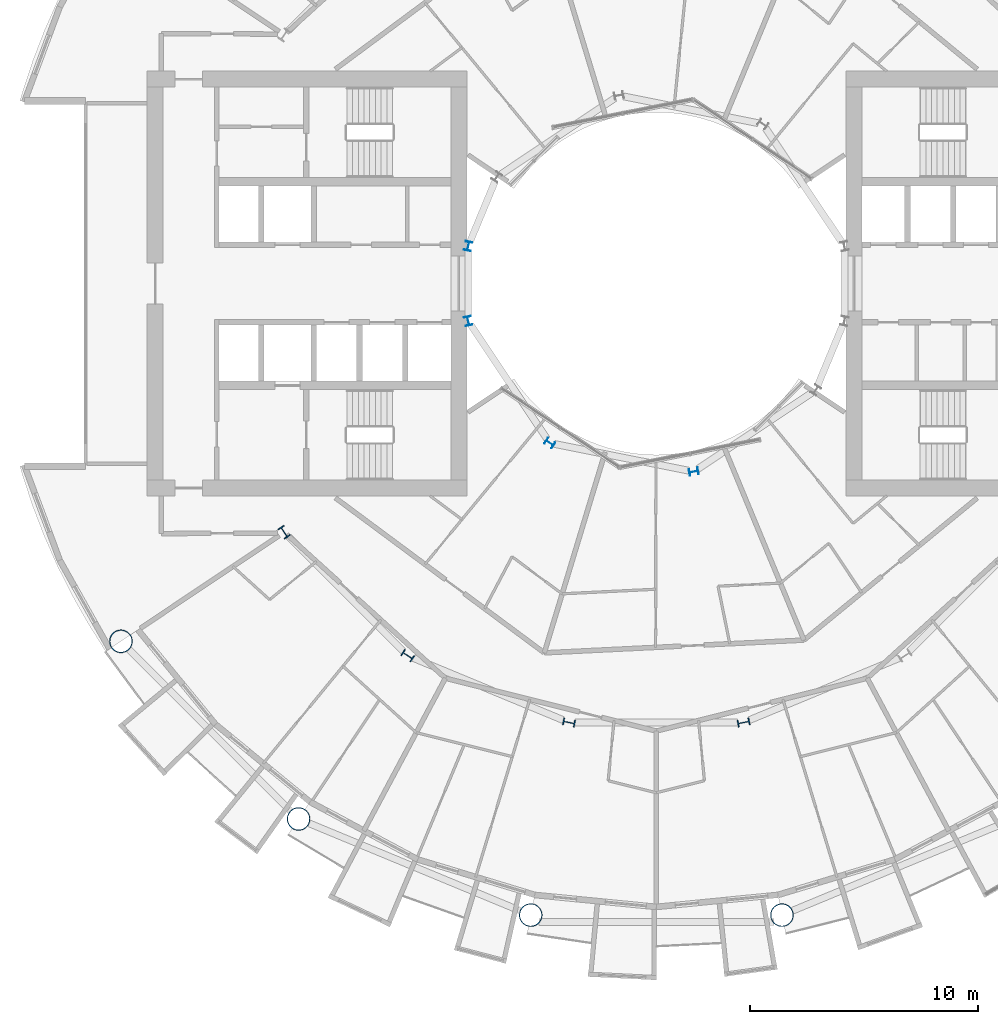
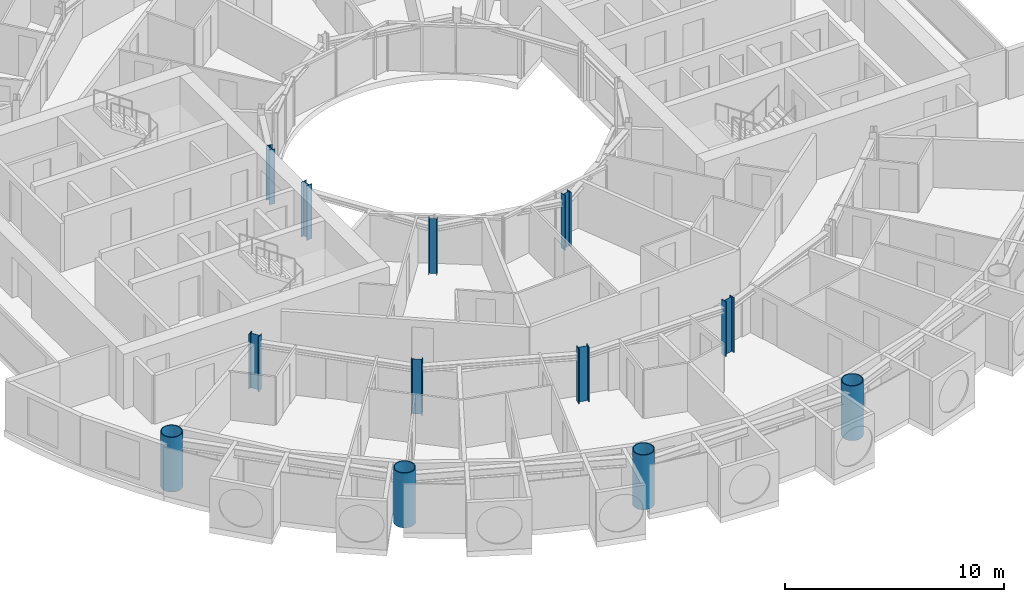
# One storey, part 1 of 26: 12 columns.
"""IFC4 building model written with IfcOpenShell, lengths in metres."""

from ifc_helpers import new_model, si_unit, direction, frame, origin, origin_2d, place, context, subcontext, project, spatial, hollow_circle, i_section, extrude, material, material_profile, profile_set, type_object, element, save


model = new_model("IFC4")

# Units and contexts
model_context = context("Model", 3, precision=1e-05, world=origin(), true_north=direction((0.0, 1.0)))
body_context = subcontext(model_context, "Body", "Model", "MODEL_VIEW")
ifc_project = project(units=[si_unit("LENGTHUNIT", "METRE"), si_unit("AREAUNIT", "SQUARE_METRE"), si_unit("VOLUMEUNIT", "CUBIC_METRE"), si_unit("PLANEANGLEUNIT", "RADIAN"), si_unit("MASSUNIT", "GRAM", prefix="KILO")], contexts=[model_context])

# Site, building, storey
site_placement = place(None, origin())
site = spatial("IfcSite", under=ifc_project, at=site_placement, CompositionType="ELEMENT")
building_placement = place(site_placement, origin())
building = spatial("IfcBuilding", under=site, at=building_placement, Name="Maasbend Ring Residences", CompositionType="ELEMENT")
storey_placement = place(building_placement, frame((0.0, 0.0, 81.89990234375)))
storey = spatial("IfcBuildingStorey", under=building, at=storey_placement, Name="L23", CompositionType="ELEMENT", Elevation=81.89990234375)

# Columns
ifc_material_1 = material(Name="Composite concrete-filled steel tube S460NH / C80/95", Category="concrete")
ifc_material_profile_1 = material_profile(ifc_material_1, hollow_circle(Radius=0.508056640625, WallThickness=0.0400390625, at=origin_2d()), Name="Composite tube column CHS 1016x40")
ifc_profile_set_1 = profile_set([ifc_material_profile_1], Name="Composite concrete-filled steel tube S460NH / C80/95")
column_type_1 = type_object("IfcColumnType", Name="Composite tube column CHS 1016x40", PredefinedType="COLUMN", material=ifc_profile_set_1)
for number, where, z_axis, x_axis, name in (
    (1, (-23.447509765625, -15.6669921875, 0.0), (0.0, 0.0, 1.0), (1.0, 0.0, 0.0), "Outer column R10"),
    (2, (-15.6669921875, -23.447509765625, 0.0), (0.0, 0.0, 1.0), (1.0, 0.0, 0.0), "Outer column R11"),
    (3, (-5.50146484375, -27.658203125, 0.0), (0.0, 0.0, 1.0), (1.0, 0.0, 0.0), "Outer column R12"),
    (4, (5.50146484375, -27.658203125, 0.0), (0.0, 0.0, 1.0), (1.0, 0.0, 0.0), "Outer column R13"),
):
    element("IfcColumn", number, at=place(storey_placement, frame(where, z_axis=z_axis, x_axis=x_axis)), inside=storey, type_object=column_type_1, Name=name, PredefinedType="COLUMN", context=body_context, shape_type="SweptSolid", body=[
        extrude(hollow_circle(Radius=0.508056640625, WallThickness=0.0400390625, at=origin_2d()), origin(), (0.0, 0.0, 1.0), 3.050048828125),
    ])
ifc_material_2 = material(Name="Steel S355J2", Category="steel")
ifc_material_profile_2 = material_profile(ifc_material_2, i_section(OverallWidth=0.300048828125, OverallDepth=0.39990234375, WebThickness=0.013427734375, FlangeThickness=0.02392578125, FilletRadius=0.027099609375, at=origin_2d()), Name="HEB 400")
ifc_profile_set_2 = profile_set([ifc_material_profile_2], Name="Steel S355J2")
column_type_2 = type_object("IfcColumnType", Name="Steel column HEB 400", PredefinedType="COLUMN", material=ifc_profile_set_2)
for number, where, z_axis, x_axis, name in (
    (5, (-8.238525390625, 1.638916015625, 0.0), (0.0, 0.0, 1.0), (-0.980785280403, 0.195090322016, 0.0), "Well ring column R8"),
    (6, (-8.238525390625, -1.638916015625, 0.0), (0.0, 0.0, 1.0), (-0.980785280403, -0.195090322016, 0.0), "Well ring column R9"),
    (7, (-4.666748046875, -6.984375, 0.0), (0.0, 0.0, 1.0), (-0.55557023302, -0.831469612303, 0.0), "Well ring column R11"),
    (8, (1.638916015625, -8.238525390625, 0.0), (0.0, 0.0, 1.0), (0.195090322016, -0.980785280403, 0.0), "Well ring column R13"),
):
    element("IfcColumn", number, at=place(storey_placement, frame(where, z_axis=z_axis, x_axis=x_axis)), inside=storey, type_object=column_type_2, Name=name, PredefinedType="COLUMN", context=body_context, shape_type="SweptSolid", body=[
        extrude(i_section(OverallWidth=0.300048828125, OverallDepth=0.39990234375, WebThickness=0.013427734375, FlangeThickness=0.02392578125, FilletRadius=0.027099609375, at=origin_2d()), origin(), (0.0, 0.0, 1.0), 3.050048828125),
    ])
ifc_material_3 = material(Name="Steel S460M", Category="steel")
ifc_material_profile_3 = material_profile(ifc_material_3, i_section(OverallWidth=0.305908203125, OverallDepth=0.52392578125, WebThickness=0.02099609375, FlangeThickness=0.0400390625, FilletRadius=0.027099609375, at=origin_2d()), Name="HEM 500")
ifc_profile_set_3 = profile_set([ifc_material_profile_3], Name="Steel S460M")
column_type_3 = type_object("IfcColumnType", Name="Steel column HEM 500", PredefinedType="COLUMN", material=ifc_profile_set_3)
for number, where, z_axis, x_axis, name in (
    (9, (-16.296875, -10.88916015625, 0.0), (0.0, 0.0, 1.0), (-0.831469612303, -0.55557023302, 0.0), "Corridor ring column R10"),
    (10, (-10.88916015625, -16.296875, 0.0), (0.0, 0.0, 1.0), (-0.55557023302, -0.831469612303, 0.0), "Corridor ring column R11"),
    (11, (-3.82373046875, -19.223388671875, 0.0), (0.0, 0.0, 1.0), (-0.195090322016, -0.980785280403, 0.0), "Corridor ring column R12"),
    (12, (3.82373046875, -19.223388671875, 0.0), (0.0, 0.0, 1.0), (0.195090322016, -0.980785280403, 0.0), "Corridor ring column R13"),
):
    element("IfcColumn", number, at=place(storey_placement, frame(where, z_axis=z_axis, x_axis=x_axis)), inside=storey, type_object=column_type_3, Name=name, PredefinedType="COLUMN", context=body_context, shape_type="SweptSolid", body=[
        extrude(i_section(OverallWidth=0.305908203125, OverallDepth=0.52392578125, WebThickness=0.02099609375, FlangeThickness=0.0400390625, FilletRadius=0.027099609375, at=origin_2d()), origin(), (0.0, 0.0, 1.0), 3.050048828125),
    ])

save(model, "model.ifc")
